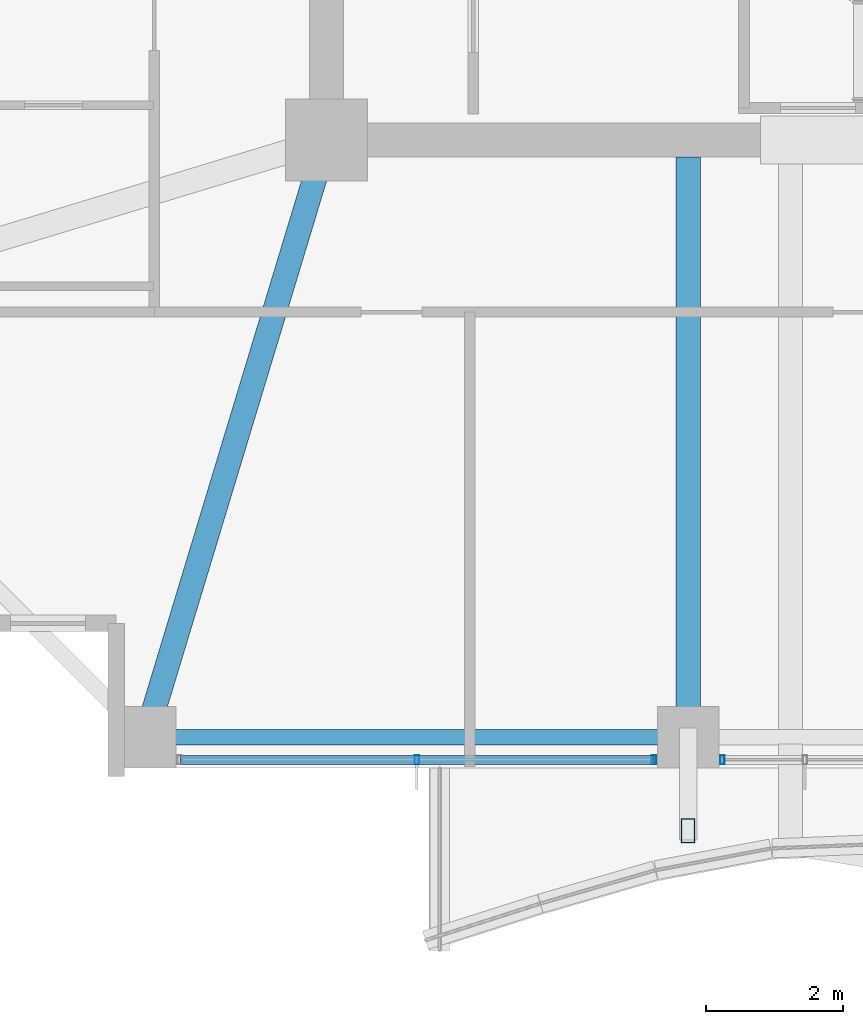
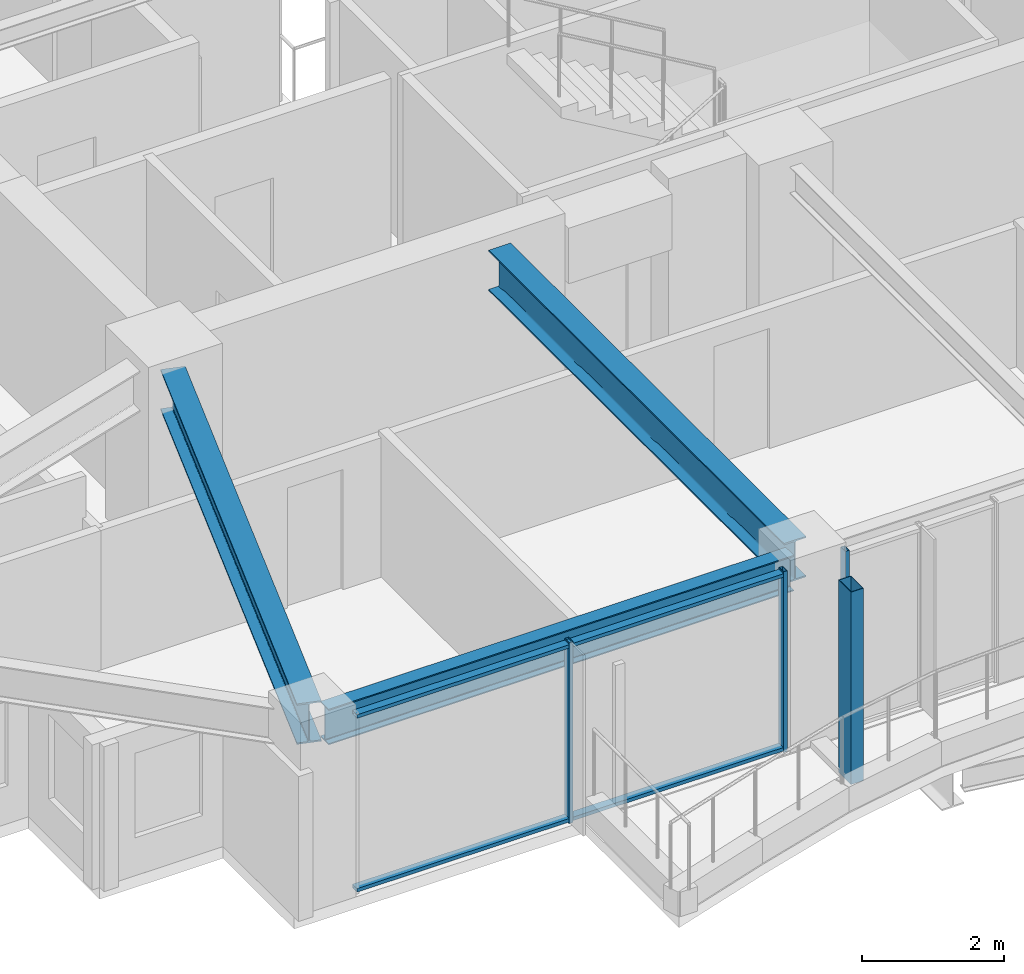
# One storey, part 3 of 32: 6 members, 3 beams, 2 elements without a shape of their own.
"""IFC4 building model written with IfcOpenShell, lengths in metres."""

from ifc_helpers import new_model, si_unit, direction, frame, origin, origin_2d, place, context, subcontext, project, spatial, hollow_rectangle, i_section, extrude, material, material_profile, profile_set, type_object, element, aggregate, save


model = new_model("IFC4")

# Units and contexts
model_context = context("Model", 3, precision=1e-05, world=origin(), true_north=direction((0.0, 1.0)))
body_context = subcontext(model_context, "Body", "Model", "MODEL_VIEW")
ifc_project = project(units=[si_unit("LENGTHUNIT", "METRE"), si_unit("AREAUNIT", "SQUARE_METRE"), si_unit("VOLUMEUNIT", "CUBIC_METRE"), si_unit("PLANEANGLEUNIT", "RADIAN"), si_unit("MASSUNIT", "GRAM", prefix="KILO")], contexts=[model_context])

# Site, building, storey
site_placement = place(None, origin())
site = spatial("IfcSite", under=ifc_project, at=site_placement, CompositionType="ELEMENT")
building_placement = place(site_placement, origin())
building = spatial("IfcBuilding", under=site, at=building_placement, Name="Kolvaren Belvedere", CompositionType="ELEMENT")
storey_placement = place(building_placement, frame((0.0, 0.0, 160.199951171875)))
storey = spatial("IfcBuildingStorey", under=building, at=storey_placement, Name="L46", CompositionType="ELEMENT", Elevation=160.199951171875)

# Beams
ifc_material_1 = material(Name="Structural steel ASTM A992 Grade 50", Category="steel")
ifc_material_profile_1 = material_profile(ifc_material_1, i_section(OverallWidth=0.35498046875, OverallDepth=0.696044921875, WebThickness=0.015380859375, FlangeThickness=0.02490234375, FilletRadius=0.02197265625, at=origin_2d()), Name="W27X146")
ifc_profile_set_1 = profile_set([ifc_material_profile_1], Name="Structural steel ASTM A992 Grade 50")
beam_type_1 = type_object("IfcBeamType", Name="BM-GIRD-W27X146", PredefinedType="BEAM", material=ifc_profile_set_1)
beam_1_placement = place(storey_placement, frame((-4.60009765625, -10.14990234375, 2.751953125), z_axis=(0.0, -1.0, 0.0), x_axis=(1.0, 0.0, 0.0)))
element("IfcBeam", 1, at=beam_1_placement, inside=storey, type_object=beam_type_1, Name="L46 South Radial Girder M", PredefinedType="BEAM", context=body_context, shape_type="SweptSolid", body=[
    extrude(i_section(OverallWidth=0.35498046875, OverallDepth=0.696044921875, WebThickness=0.015380859375, FlangeThickness=0.02490234375, FilletRadius=0.02197265625, at=origin_2d()), origin(), (0.0, 0.0, 1.0), 8.297607421875),
])
beam_2_placement = place(storey_placement, frame((-10.059326171875, -10.426513671875, 2.751953125), z_axis=(-0.289865629086, -0.957067352423, 0.0), x_axis=(0.957067352423, -0.289865629086, 0.0)))
element("IfcBeam", 2, at=beam_2_placement, inside=storey, type_object=beam_type_1, Name="L46 Corner Core-to-Perimeter Girder CC1-S1", PredefinedType="BEAM", context=body_context, shape_type="SweptSolid", body=[
    extrude(i_section(OverallWidth=0.35498046875, OverallDepth=0.696044921875, WebThickness=0.015380859375, FlangeThickness=0.02490234375, FilletRadius=0.02197265625, at=origin_2d()), origin(), (0.0, 0.0, 1.0), 8.412353515625),
])
ifc_material_2 = material(Name="Structural steel ASTM A992 Grade 50", Category="steel")
ifc_material_profile_2 = material_profile(ifc_material_2, i_section(OverallWidth=0.22900390625, OverallDepth=0.612060546875, WebThickness=0.011962890625, FlangeThickness=0.01953125, FilletRadius=0.01806640625, at=origin_2d()), Name="W24X84")
ifc_profile_set_2 = profile_set([ifc_material_profile_2], Name="Structural steel ASTM A992 Grade 50")
beam_type_2 = type_object("IfcBeamType", Name="BM-SPAN-W24X84", PredefinedType="SPANDREL", material=ifc_profile_set_2)
beam_3_placement = place(storey_placement, frame((-12.347412109375, -18.64990234375, 2.7939453125), z_axis=(1.0, 0.0, 0.0), x_axis=(0.0, 1.0, 0.0)))
element("IfcBeam", 3, at=beam_3_placement, inside=storey, type_object=beam_type_2, Name="L46 Perimeter Spandrel S1-S2", PredefinedType="SPANDREL", context=body_context, shape_type="SweptSolid", body=[
    extrude(i_section(OverallWidth=0.22900390625, OverallDepth=0.612060546875, WebThickness=0.011962890625, FlangeThickness=0.01953125, FilletRadius=0.01806640625, at=origin_2d()), origin(), (0.0, 0.0, 1.0), 7.544921875),
])

# Curtain wall, member
ifc_material_3 = material(Name="Anodised pale-metal aluminium AA 6063-T6", Category="aluminium")
curtain_wall_type = type_object("IfcCurtainWallType", Name="CW-Z3-WAIST", PredefinedType="NOTDEFINED", material=ifc_material_3)
curtain_wall_1_placement = place(storey_placement, origin())
curtain_wall_1 = element("IfcCurtainWall", 4, at=curtain_wall_1_placement, inside=storey, type_object=curtain_wall_type, Name="L46 Unitised Curtain Wall FCW-L46-S2-B1", PredefinedType="NOTDEFINED")
ifc_material_4 = material(Name="Anodised pale-metal aluminium AA 6063-T6", Category="aluminium")
ifc_material_profile_3 = material_profile(ifc_material_4, hollow_rectangle(XDim=0.06494140625, YDim=0.1298828125, WallThickness=0.00390625, at=origin_2d()), Name="ALU-MUL-130X65")
ifc_profile_set_3 = profile_set([ifc_material_profile_3], Name="Anodised pale-metal aluminium AA 6063-T6")
member_type_1 = type_object("IfcMemberType", Name="CW-MUL-130", PredefinedType="MULLION", material=ifc_profile_set_3)
member_1_placement = place(storey_placement, frame((-4.097412109375, -18.97998046875, 0.0), z_axis=(0.0, 0.0, 1.0), x_axis=(1.0, 0.0, 0.0)))
member_1 = element("IfcMember", 5, at=member_1_placement, type_object=member_type_1, Name="FCW-L46-S2-B1 Unitised Mullion 3", PredefinedType="MULLION", context=body_context, shape_type="SweptSolid", body=[
    extrude(hollow_rectangle(XDim=0.06494140625, YDim=0.1298828125, WallThickness=0.00390625, at=origin_2d()), origin(), (0.0, 0.0, 1.0), 3.10009765625),
])
aggregate(curtain_wall_1, [member_1])

# Curtain wall, members
curtain_wall_2_placement = place(storey_placement, origin())
curtain_wall_2 = element("IfcCurtainWall", 6, at=curtain_wall_2_placement, inside=storey, type_object=curtain_wall_type, Name="L46 Unitised Curtain Wall FCW-L46-S2-B2", PredefinedType="NOTDEFINED")
member_2_placement = place(storey_placement, frame((-5.1025390625, -18.97998046875, 0.0), z_axis=(0.0, 0.0, 1.0), x_axis=(1.0, 0.0, 0.0)))
member_2 = element("IfcMember", 7, at=member_2_placement, type_object=member_type_1, Name="FCW-L46-S2-B2 Unitised Mullion 1", PredefinedType="MULLION", context=body_context, shape_type="SweptSolid", body=[
    extrude(hollow_rectangle(XDim=0.06494140625, YDim=0.1298828125, WallThickness=0.00390625, at=origin_2d()), origin(), (0.0, 0.0, 1.0), 3.10009765625),
])
member_3_placement = place(storey_placement, frame((-8.574951171875, -18.97998046875, 0.0), z_axis=(0.0, 0.0, 1.0), x_axis=(1.0, 0.0, 0.0)))
member_3 = element("IfcMember", 8, at=member_3_placement, type_object=member_type_1, Name="FCW-L46-S2-B2 Unitised Mullion 2", PredefinedType="MULLION", context=body_context, shape_type="SweptSolid", body=[
    extrude(hollow_rectangle(XDim=0.06494140625, YDim=0.1298828125, WallThickness=0.00390625, at=origin_2d()), origin(), (0.0, 0.0, 1.0), 3.10009765625),
])
ifc_material_5 = material(Name="Anodised pale-metal aluminium AA 6063-T6", Category="aluminium")
ifc_material_profile_4 = material_profile(ifc_material_5, hollow_rectangle(XDim=0.06005859375, YDim=0.1298828125, WallThickness=0.00390625, at=origin_2d()), Name="ALU-TRN-130X60")
ifc_profile_set_4 = profile_set([ifc_material_profile_4], Name="Anodised pale-metal aluminium AA 6063-T6")
member_type_2 = type_object("IfcMemberType", Name="CW-TRN-130", PredefinedType="USERDEFINED", material=ifc_profile_set_4)
member_4_placement = place(storey_placement, frame((-5.1025390625, -18.97998046875, 0.06005859375), z_axis=(-1.0, 0.0, 0.0), x_axis=(0.0, 0.0, 1.0)))
member_4 = element("IfcMember", 9, at=member_4_placement, type_object=member_type_2, Name="FCW-L46-S2-B2 Sill Transom", ObjectType="TRANSOM", PredefinedType="USERDEFINED", context=body_context, shape_type="SweptSolid", body=[
    extrude(hollow_rectangle(XDim=0.06005859375, YDim=0.1298828125, WallThickness=0.00390625, at=origin_2d()), origin(), (0.0, 0.0, 1.0), 6.945068359375),
])
member_5_placement = place(storey_placement, frame((-5.1025390625, -18.97998046875, 3.0400390625), z_axis=(-1.0, 0.0, 0.0), x_axis=(0.0, 0.0, 1.0)))
member_5 = element("IfcMember", 10, at=member_5_placement, type_object=member_type_2, Name="FCW-L46-S2-B2 Head Transom", ObjectType="TRANSOM", PredefinedType="USERDEFINED", context=body_context, shape_type="SweptSolid", body=[
    extrude(hollow_rectangle(XDim=0.06005859375, YDim=0.1298828125, WallThickness=0.00390625, at=origin_2d()), origin(), (0.0, 0.0, 1.0), 6.945068359375),
])
aggregate(curtain_wall_2, [member_2, member_3, member_4, member_5])

# Member
ifc_material_6 = material(Name="Anodised pale-metal aluminium AA 6063-T6", Category="aluminium")
ifc_material_profile_5 = material_profile(ifc_material_6, hollow_rectangle(XDim=0.199951171875, YDim=0.35009765625, WallThickness=0.007568359375, at=origin_2d()), Name="ALU-PF-350X200")
ifc_profile_set_5 = profile_set([ifc_material_profile_5], Name="Anodised pale-metal aluminium AA 6063-T6")
member_type_3 = type_object("IfcMemberType", Name="PF-FRAME-350", PredefinedType="USERDEFINED", material=ifc_profile_set_5)
member_6_placement = place(storey_placement, frame((-4.60009765625, -20.02001953125, 0.0), z_axis=(0.0, 0.0, 1.0), x_axis=(1.0, 0.0, 0.0)))
element("IfcMember", 11, at=member_6_placement, inside=storey, type_object=member_type_3, Name="L46 Outboard Picture-Frame Vertical S2", ObjectType="PICTURE FRAME FIN", PredefinedType="USERDEFINED", context=body_context, shape_type="SweptSolid", body=[
    extrude(hollow_rectangle(XDim=0.199951171875, YDim=0.35009765625, WallThickness=0.007568359375, at=origin_2d()), origin(), (0.0, 0.0, 1.0), 3.300048828125),
])

save(model, "model.ifc")
